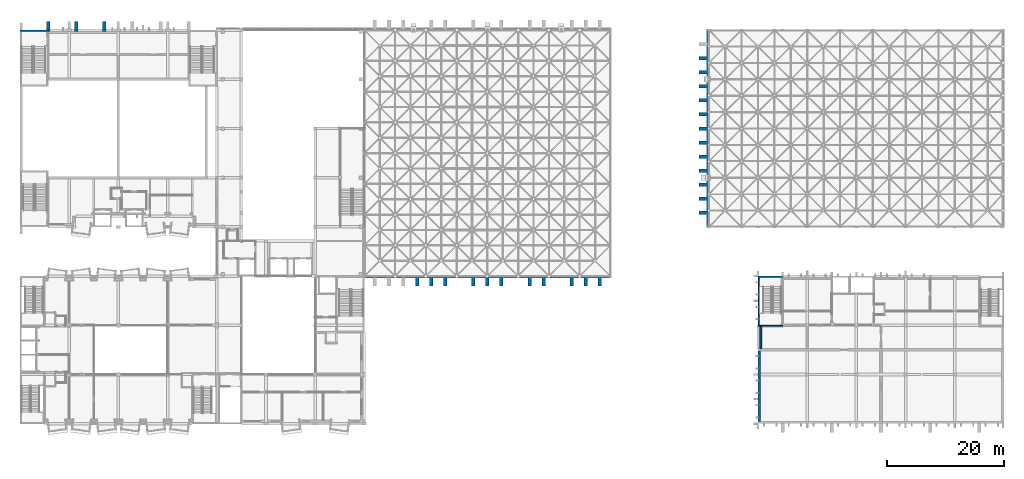
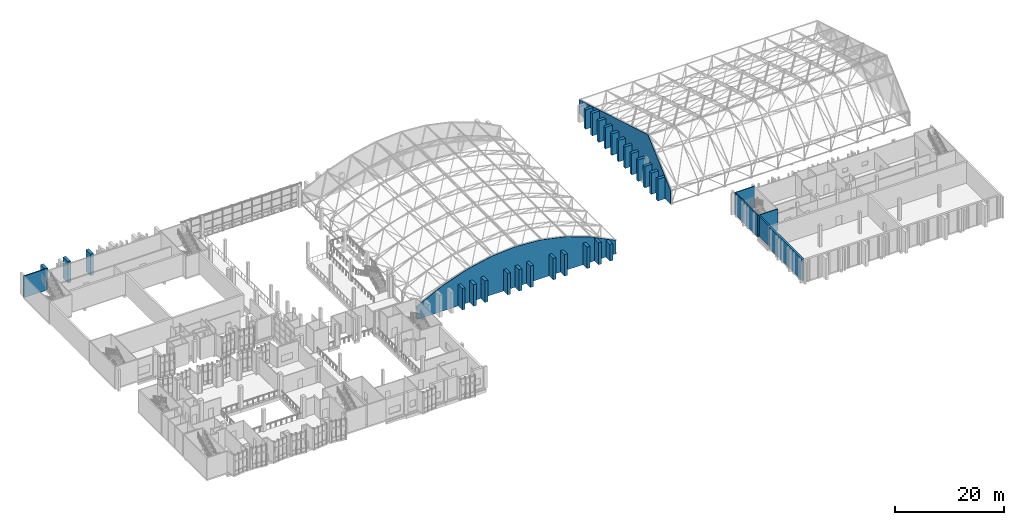
# One storey, part 69 of 100: 34 walls.
"""IFC4 building model written with IfcOpenShell, lengths in metres."""

from ifc_helpers import new_model, si_unit, direction, frame, frame_2d, origin, place, context, subcontext, project, spatial, polyline, rectangle, outline, extrude, material, layer, layer_set, type_object, element, save


model = new_model("IFC4")

# Units and contexts
model_context = context("Model", 3, precision=1e-05, world=origin(), true_north=direction((0.0, 1.0)))
body_context = subcontext(model_context, "Body", "Model", "MODEL_VIEW")
ifc_project = project(units=[si_unit("LENGTHUNIT", "METRE"), si_unit("AREAUNIT", "SQUARE_METRE"), si_unit("VOLUMEUNIT", "CUBIC_METRE"), si_unit("PLANEANGLEUNIT", "RADIAN"), si_unit("MASSUNIT", "GRAM", prefix="KILO")], contexts=[model_context])

# Site, building, storey
site_placement = place(None, origin())
site = spatial("IfcSite", under=ifc_project, at=site_placement, CompositionType="ELEMENT")
building_placement = place(site_placement, origin())
building = spatial("IfcBuilding", under=site, at=building_placement, Name="Kiln Court Media Centre", CompositionType="ELEMENT")
storey_placement = place(building_placement, frame((0.0, 0.0, 15.0)))
storey = spatial("IfcBuildingStorey", under=building, at=storey_placement, Name="L03", CompositionType="ELEMENT", Elevation=15.0)

# Walls
ifc_material_1 = material(Name="Aluminium 6063-T6", Category="aluminium")
ifc_layer_1 = layer(ifc_material_1, 0.10009765625)
ifc_layer_set_1 = layer_set([ifc_layer_1], Name="Aluminium louvred gable infill wall 100")
wall_type_1 = type_object("IfcWallType", Name="Aluminium louvred gable infill wall 100", PredefinedType="SOLIDWALL", material=ifc_layer_set_1)
wall_1_placement = place(storey_placement, frame((58.800048828125, 25.023681640625, 0.0), z_axis=(0.0, 0.0, 1.0), x_axis=(1.0, 0.0, 0.0)))
element("IfcWall", 1, at=wall_1_placement, inside=storey, type_object=wall_type_1, Name="V1 S gable infill wall", PredefinedType="SOLIDWALL", context=body_context, shape_type="SweptSolid", body=[
    extrude(outline(polyline([(0.0, 0.0), (42.0, 0.0), (42.0, 3.0), (36.75, 5.625), (31.5, 7.5), (26.25, 8.625), (21.0, 9.0), (15.75, 8.625), (10.5, 7.5), (5.25, 5.625), (0.0, 3.0), (0.0, 0.0)])), frame((0.0, 0.050048828125, 0.0), z_axis=(0.0, -1.0, 0.0), x_axis=(1.0, 0.0, 0.0)), (0.0, 0.0, 1.0), 0.10009765625),
])
wall_2_placement = place(storey_placement, frame((117.436279296875, 33.60009765625, 0.0), z_axis=(0.0, 0.0, 1.0), x_axis=(0.0, 1.0, 0.0)))
element("IfcWall", 2, at=wall_2_placement, inside=storey, type_object=wall_type_1, Name="V2 W gable infill wall", PredefinedType="SOLIDWALL", context=body_context, shape_type="SweptSolid", body=[
    extrude(outline(polyline([(0.0, 0.0), (33.599853515625, 0.0), (33.60009765625, 3.0), (28.0, 4.666748046875), (22.39990234375, 6.333251953125), (16.800048828125, 8.0), (11.199951171875, 9.666748046875), (8.39990234375, 10.5), (5.60009765625, 8.0), (0.0, 3.0), (0.0, 0.0)])), frame((0.0, 0.050048828125, 0.0), z_axis=(0.0, -1.0, 0.0), x_axis=(1.0, 0.0, 0.0)), (0.0, 0.0, 1.0), 0.10009765625),
])
ifc_material_2 = material(Name="Concrete C40/50", Category="concrete")
ifc_layer_2 = layer(ifc_material_2, 0.300048828125)
ifc_layer_set_2 = layer_set([ifc_layer_2], Name="Concrete C40/50 board-marked facade wall 300")
wall_type_2 = type_object("IfcWallType", Name="Concrete C40/50 board-marked facade wall 300", PredefinedType="SOLIDWALL", material=ifc_layer_set_2)
wall_3_placement = place(storey_placement, frame((126.449951171875, 12.800048828125, 0.0), z_axis=(0.0, 0.0, 1.0), x_axis=(0.0, 1.0, 0.0)))
element("IfcWall", 3, at=wall_3_placement, inside=storey, type_object=wall_type_2, Name="V5 W facade wall 4010", PredefinedType="SOLIDWALL", context=body_context, shape_type="SweptSolid", body=[
    extrude(rectangle(XDim=3.800048828125, YDim=0.300048828125, at=frame_2d((1.89990234375, 0.0))), origin(), (0.0, 0.0, 1.0), 4.5),
])
ifc_material_3 = material(Name="Concrete C40/50", Category="concrete")
ifc_layer_3 = layer(ifc_material_3, 0.60009765625)
ifc_layer_set_3 = layer_set([ifc_layer_3], Name="Concrete C40/50 cast rib 600x1500")
wall_type_3 = type_object("IfcWallType", Name="Concrete C40/50 cast rib 600x1500", PredefinedType="SOLIDWALL", material=ifc_layer_set_3)
for number, where, z_axis, x_axis, name in (
    (4, (67.800048828125, 24.9736328125, 0.0), (0.0, 0.0, 1.0), (0.0, -1.0, 0.0), "V1 S gable rib"),
    (5, (70.199951171875, 24.9736328125, 0.0), (0.0, 0.0, 1.0), (0.0, -1.0, 0.0), "V1 S gable rib"),
    (6, (72.60009765625, 24.9736328125, 0.0), (0.0, 0.0, 1.0), (0.0, -1.0, 0.0), "V1 S gable rib"),
    (7, (77.39990234375, 24.9736328125, 0.0), (0.0, 0.0, 1.0), (0.0, -1.0, 0.0), "V1 S gable rib"),
    (8, (79.800048828125, 24.9736328125, 0.0), (0.0, 0.0, 1.0), (0.0, -1.0, 0.0), "V1 S gable rib"),
    (9, (82.199951171875, 24.9736328125, 0.0), (0.0, 0.0, 1.0), (0.0, -1.0, 0.0), "V1 S gable rib"),
    (10, (87.0, 24.9736328125, 0.0), (0.0, 0.0, 1.0), (0.0, -1.0, 0.0), "V1 S gable rib"),
    (11, (89.39990234375, 24.9736328125, 0.0), (0.0, 0.0, 1.0), (0.0, -1.0, 0.0), "V1 S gable rib"),
    (12, (94.199951171875, 24.9736328125, 0.0), (0.0, 0.0, 1.0), (0.0, -1.0, 0.0), "V1 S gable rib"),
):
    element("IfcWall", number, at=place(storey_placement, frame(where, z_axis=z_axis, x_axis=x_axis)), inside=storey, type_object=wall_type_3, Name=name, PredefinedType="SOLIDWALL", context=body_context, shape_type="SweptSolid", body=[
        extrude(rectangle(XDim=1.5, YDim=0.60009765625, at=frame_2d((0.75, 0.0))), origin(), (0.0, 0.0, 1.0), 4.800048828125),
    ])
wall_4_placement = place(storey_placement, frame((96.60009765625, 24.9736328125, 0.0), z_axis=(0.0, 0.0, 1.0), x_axis=(0.0, -1.0, 0.0)))
element("IfcWall", 13, at=wall_4_placement, inside=storey, type_object=wall_type_3, Name="V1 S gable rib", PredefinedType="SOLIDWALL", context=body_context, shape_type="SweptSolid", body=[
    extrude(rectangle(XDim=1.5, YDim=0.60009765625, at=frame_2d((0.75, 0.0))), origin(), (0.0, 0.0, 1.0), 4.929931640625),
])
wall_5_placement = place(storey_placement, frame((99.0, 24.9736328125, 0.0), z_axis=(0.0, 0.0, 1.0), x_axis=(0.0, -1.0, 0.0)))
element("IfcWall", 14, at=wall_5_placement, inside=storey, type_object=wall_type_3, Name="V1 S gable rib", PredefinedType="SOLIDWALL", context=body_context, shape_type="SweptSolid", body=[
    extrude(rectangle(XDim=1.5, YDim=0.60009765625, at=frame_2d((0.75, 0.0))), origin(), (0.0, 0.0, 1.0), 3.72998046875),
])
wall_6_placement = place(storey_placement, frame((117.386474609375, 36.0, 0.0), z_axis=(0.0, 0.0, 1.0), x_axis=(-1.0, 0.0, 0.0)))
element("IfcWall", 15, at=wall_6_placement, inside=storey, type_object=wall_type_3, Name="V2 W gable rib", PredefinedType="SOLIDWALL", context=body_context, shape_type="SweptSolid", body=[
    extrude(rectangle(XDim=1.5, YDim=0.60009765625, at=frame_2d((0.75, 0.0))), origin(), (0.0, 0.0, 1.0), 4.85498046875),
])
for number, where, z_axis, x_axis, name in (
    (16, (117.386474609375, 38.39990234375, 0.0), (0.0, 0.0, 1.0), (-1.0, 0.0, 0.0), "V2 W gable rib"),
    (17, (117.386474609375, 40.800048828125, 0.0), (0.0, 0.0, 1.0), (-1.0, 0.0, 0.0), "V2 W gable rib"),
    (18, (117.386474609375, 43.199951171875, 0.0), (0.0, 0.0, 1.0), (-1.0, 0.0, 0.0), "V2 W gable rib"),
    (19, (117.386474609375, 45.60009765625, 0.0), (0.0, 0.0, 1.0), (-1.0, 0.0, 0.0), "V2 W gable rib"),
    (20, (117.386474609375, 48.0, 0.0), (0.0, 0.0, 1.0), (-1.0, 0.0, 0.0), "V2 W gable rib"),
    (21, (117.386474609375, 50.39990234375, 0.0), (0.0, 0.0, 1.0), (-1.0, 0.0, 0.0), "V2 W gable rib"),
    (22, (117.386474609375, 52.800048828125, 0.0), (0.0, 0.0, 1.0), (-1.0, 0.0, 0.0), "V2 W gable rib"),
    (23, (117.386474609375, 55.199951171875, 0.0), (0.0, 0.0, 1.0), (-1.0, 0.0, 0.0), "V2 W gable rib"),
    (24, (117.386474609375, 57.60009765625, 0.0), (0.0, 0.0, 1.0), (-1.0, 0.0, 0.0), "V2 W gable rib"),
):
    element("IfcWall", number, at=place(storey_placement, frame(where, z_axis=z_axis, x_axis=x_axis)), inside=storey, type_object=wall_type_3, Name=name, PredefinedType="SOLIDWALL", context=body_context, shape_type="SweptSolid", body=[
        extrude(rectangle(XDim=1.5, YDim=0.60009765625, at=frame_2d((0.75, 0.0))), origin(), (0.0, 0.0, 1.0), 4.800048828125),
    ])
wall_7_placement = place(storey_placement, frame((117.386474609375, 60.0, 0.0), z_axis=(0.0, 0.0, 1.0), x_axis=(-1.0, 0.0, 0.0)))
element("IfcWall", 25, at=wall_7_placement, inside=storey, type_object=wall_type_3, Name="V2 W gable rib", PredefinedType="SOLIDWALL", context=body_context, shape_type="SweptSolid", body=[
    extrude(rectangle(XDim=1.5, YDim=0.60009765625, at=frame_2d((0.75, 0.0))), origin(), (0.0, 0.0, 1.0), 5.03369140625),
])
wall_8_placement = place(storey_placement, frame((117.386474609375, 62.39990234375, 0.0), z_axis=(0.0, 0.0, 1.0), x_axis=(-1.0, 0.0, 0.0)))
element("IfcWall", 26, at=wall_8_placement, inside=storey, type_object=wall_type_3, Name="V2 W gable rib", PredefinedType="SOLIDWALL", context=body_context, shape_type="SweptSolid", body=[
    extrude(rectangle(XDim=1.5, YDim=0.60009765625, at=frame_2d((0.75, 0.0))), origin(), (0.0, 0.0, 1.0), 4.3193359375),
])
wall_9_placement = place(storey_placement, frame((4.800048828125, 67.0, 0.0), z_axis=(0.0, 0.0, 1.0), x_axis=(0.0, 1.0, 0.0)))
element("IfcWall", 27, at=wall_9_placement, inside=storey, type_object=wall_type_3, Name="V4 N cast rib 1", PredefinedType="SOLIDWALL", context=body_context, shape_type="SweptSolid", body=[
    extrude(rectangle(XDim=1.699951171875, YDim=0.60009765625, at=frame_2d((0.85009765625, 0.0))), origin(), (0.0, 0.0, 1.0), 4.800048828125),
])
for number, where, z_axis, x_axis, name in (
    (28, (9.60009765625, 66.949951171875, 0.0), (0.0, 0.0, 1.0), (0.0, 1.0, 0.0), "V4 N cast rib 2"),
    (29, (14.39990234375, 66.949951171875, 0.0), (0.0, 0.0, 1.0), (0.0, 1.0, 0.0), "V4 N cast rib 3"),
):
    element("IfcWall", number, at=place(storey_placement, frame(where, z_axis=z_axis, x_axis=x_axis)), inside=storey, type_object=wall_type_3, Name=name, PredefinedType="SOLIDWALL", context=body_context, shape_type="SweptSolid", body=[
        extrude(rectangle(XDim=1.75, YDim=0.60009765625, at=frame_2d((0.875, 0.0))), origin(), (0.0, 0.0, 1.0), 4.800048828125),
    ])
ifc_material_4 = material(Name="Concrete C40/50", Category="concrete")
ifc_layer_4 = layer(ifc_material_4, 0.199951171875)
ifc_layer_set_4 = layer_set([ifc_layer_4], Name="Concrete C40/50 shear wall 200")
wall_type_4 = type_object("IfcWallType", Name="Concrete C40/50 shear wall 200", PredefinedType="SHEAR", material=ifc_layer_set_4)
wall_10_placement = place(storey_placement, frame((0.00048828125, 67.10009765625, 0.0), z_axis=(0.0, 0.0, 1.0), x_axis=(1.0, 0.0, 0.0)))
element("IfcWall", 30, at=wall_10_placement, inside=storey, type_object=wall_type_4, Name="L03-W-1025", PredefinedType="SHEAR", context=body_context, shape_type="SweptSolid", body=[
    extrude(rectangle(XDim=4.799560546875, YDim=0.199951171875, at=frame_2d((2.39990234375, 0.0))), origin(), (0.0, 0.0, 1.0), 4.800048828125),
])
for number, where, z_axis, x_axis, name in (
    (31, (130.199951171875, 16.699951171875, 0.0), (0.0, 0.0, 1.0), (-1.0, 0.0, 0.0), "L03-W-1032"),
    (32, (126.0, 25.10009765625, 0.0), (0.0, 0.0, 1.0), (1.0, 0.0, 0.0), "L03-W-1033"),
):
    element("IfcWall", number, at=place(storey_placement, frame(where, z_axis=z_axis, x_axis=x_axis)), inside=storey, type_object=wall_type_4, Name=name, PredefinedType="SHEAR", context=body_context, shape_type="SweptSolid", body=[
        extrude(rectangle(XDim=4.199951171875, YDim=0.199951171875, at=frame_2d((2.10009765625, 0.0))), origin(), (0.0, 0.0, 1.0), 4.800048828125),
    ])
wall_11_placement = place(storey_placement, frame((126.10009765625, 16.800048828125, 0.0), z_axis=(0.0, 0.0, 1.0), x_axis=(0.0, 1.0, 0.0)))
element("IfcWall", 33, at=wall_11_placement, inside=storey, type_object=wall_type_4, Name="L03-W-1034", PredefinedType="SHEAR", context=body_context, shape_type="SweptSolid", body=[
    extrude(rectangle(XDim=8.199951171875, YDim=0.199951171875, at=frame_2d((4.10009765625, 0.0))), origin(), (0.0, 0.0, 1.0), 4.800048828125),
])
ifc_material_5 = material(Name="Concrete C40/50", Category="concrete")
ifc_layer_5 = layer(ifc_material_5, 0.39990234375)
ifc_layer_set_5 = layer_set([ifc_layer_5], Name="Concrete C40/50 studio wall 400")
wall_type_5 = type_object("IfcWallType", Name="Concrete C40/50 studio wall 400", PredefinedType="SHEAR", material=ifc_layer_set_5)
wall_12_placement = place(storey_placement, frame((126.199951171875, 0.39990234375, 0.0), z_axis=(0.0, 0.0, 1.0), x_axis=(0.0, 1.0, 0.0)))
element("IfcWall", 34, at=wall_12_placement, inside=storey, type_object=wall_type_5, Name="L03-W-1083", PredefinedType="SHEAR", context=body_context, shape_type="SweptSolid", body=[
    extrude(rectangle(XDim=12.0, YDim=0.39990234375, at=frame_2d((6.0, 0.0))), origin(), (0.0, 0.0, 1.0), 4.800048828125),
])

save(model, "model.ifc")
